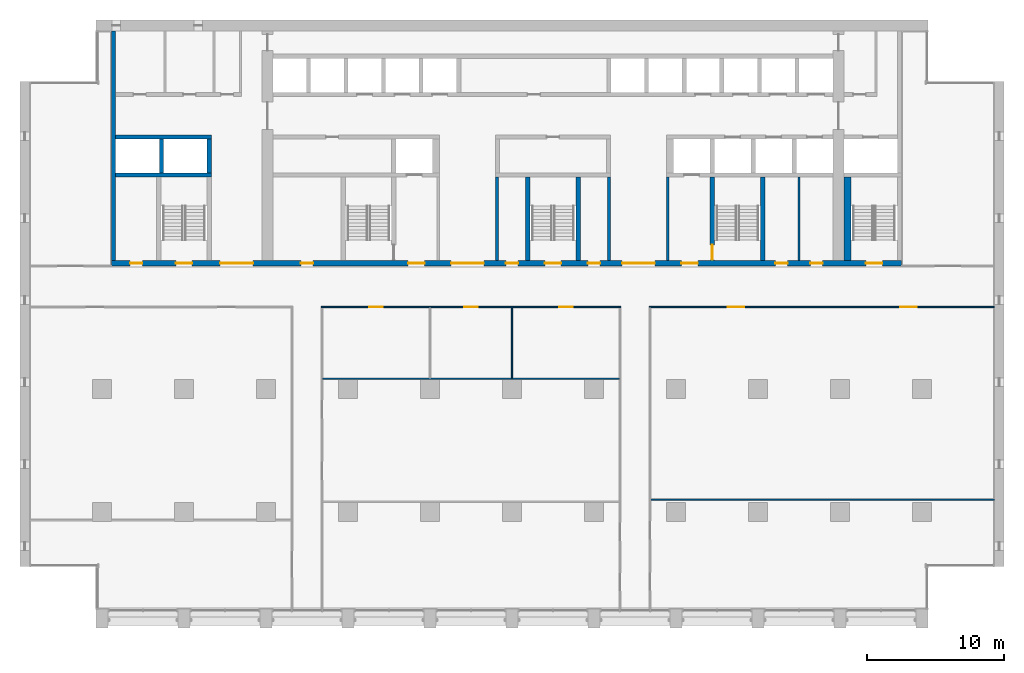
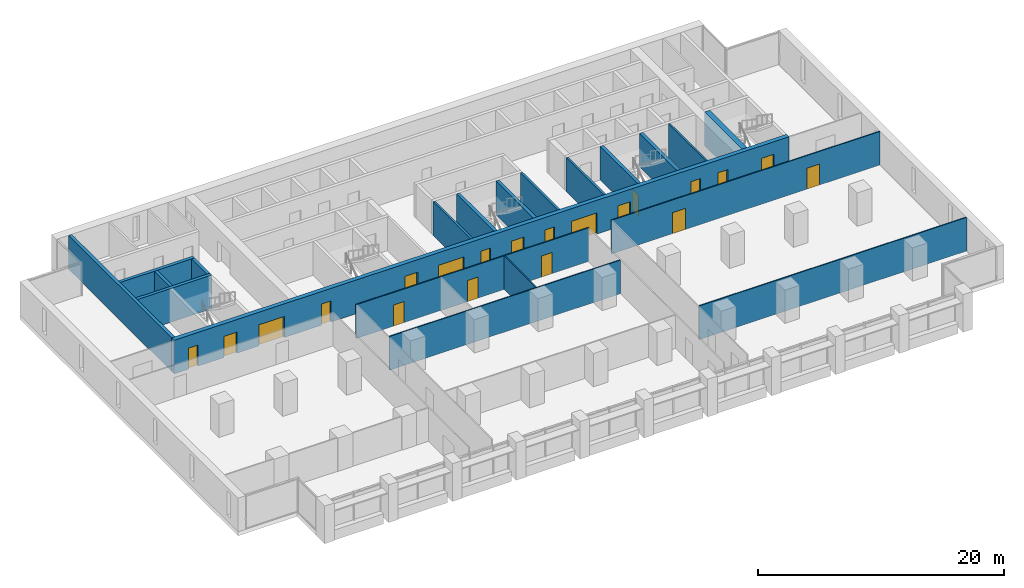
# One storey, part 9 of 15: 20 doors, 20 walls, 20 openings.
"""IFC4 building model written with IfcOpenShell, lengths in metres."""

from ifc_helpers import new_model, si_unit, direction, frame, frame_2d, origin, place, context, subcontext, project, spatial, rectangle, extrude, material, layer, layer_set, type_object, element, fill, save


model = new_model("IFC4")

# Units and contexts
model_context = context("Model", 3, precision=1e-05, world=origin(), true_north=direction((0.0, 1.0)))
body_context = subcontext(model_context, "Body", "Model", "MODEL_VIEW")
ifc_project = project(units=[si_unit("LENGTHUNIT", "METRE"), si_unit("AREAUNIT", "SQUARE_METRE"), si_unit("VOLUMEUNIT", "CUBIC_METRE"), si_unit("PLANEANGLEUNIT", "RADIAN"), si_unit("MASSUNIT", "GRAM", prefix="KILO")], contexts=[model_context])

# Site, building, storey
site_placement = place(None, origin())
site = spatial("IfcSite", under=ifc_project, at=site_placement, CompositionType="ELEMENT")
building_placement = place(site_placement, origin())
building = spatial("IfcBuilding", under=site, at=building_placement, Name="Calvaro Tower", CompositionType="ELEMENT")
storey_placement = place(building_placement, frame((0.0, 0.0, 106.25)))
storey = spatial("IfcBuildingStorey", under=building, at=storey_placement, Name="L26", CompositionType="ELEMENT", Elevation=106.25)

# Walls
ifc_material_1 = material(Name="Blockwork partition", Category="masonry")
ifc_layer_1 = layer(ifc_material_1, 0.14990234375)
ifc_layer_set_1 = layer_set([ifc_layer_1], Name="Blockwork partition")
wall_type_1 = type_object("IfcWallType", Name="Core partition 150 EI 60", PredefinedType="PARTITIONING", material=ifc_layer_set_1)
wall_1_placement = place(storey_placement, frame((57.0, 28.39990234375, 0.0), z_axis=(0.0, 0.0, 1.0), x_axis=(0.0, 1.0, 0.0)))
element("IfcWall", 1, at=wall_1_placement, inside=storey, type_object=wall_type_1, Name="Core partition", PredefinedType="PARTITIONING", context=body_context, shape_type="SweptSolid", body=[
    extrude(rectangle(XDim=6.10009765625, YDim=0.14990234375, at=frame_2d((3.050048828125, 0.0))), origin(), (0.0, 0.0, 1.0), 3.35009765625),
])
ifc_material_2 = material(Name="Blockwork partition", Category="masonry")
ifc_layer_2 = layer(ifc_material_2, 0.199951171875)
ifc_layer_set_2 = layer_set([ifc_layer_2], Name="Blockwork partition")
wall_type_2 = type_object("IfcWallType", Name="Core partition 200 REI 120", PredefinedType="PARTITIONING", material=ifc_layer_set_2)
for number, where, z_axis, x_axis, name in (
    (2, (34.89990234375, 28.39990234375, 0.0), (0.0, 0.0, 1.0), (0.0, 1.0, 0.0), "Core partition"),
    (3, (43.10009765625, 28.39990234375, 0.0), (0.0, 0.0, 1.0), (0.0, 1.0, 0.0), "Core partition"),
    (4, (47.39990234375, 28.39990234375, 0.0), (0.0, 0.0, 1.0), (0.0, 1.0, 0.0), "Core partition"),
):
    element("IfcWall", number, at=place(storey_placement, frame(where, z_axis=z_axis, x_axis=x_axis)), inside=storey, type_object=wall_type_2, Name=name, PredefinedType="PARTITIONING", context=body_context, shape_type="SweptSolid", body=[
        extrude(rectangle(XDim=6.10009765625, YDim=0.199951171875, at=frame_2d((3.050048828125, 0.0))), origin(), (0.0, 0.0, 1.0), 3.35009765625),
    ])
ifc_material_3 = material(Name="Concrete C60/75", Category="concrete")
ifc_layer_3 = layer(ifc_material_3, 0.300048828125)
ifc_layer_set_3 = layer_set([ifc_layer_3], Name="Concrete C60/75")
wall_type_3 = type_object("IfcWallType", Name="Core wall C60/75 300", PredefinedType="SHEAR", material=ifc_layer_set_3)
wall_2_placement = place(storey_placement, frame((6.85009765625, 28.39990234375, 0.0), z_axis=(0.0, 0.0, 1.0), x_axis=(0.0, 1.0, 0.0)))
element("IfcWall", 5, at=wall_2_placement, inside=storey, type_object=wall_type_3, Name="Core wall, boundary", PredefinedType="SHEAR", context=body_context, shape_type="SweptSolid", body=[
    extrude(rectangle(XDim=16.800048828125, YDim=0.300048828125, at=frame_2d((8.39990234375, 0.0))), origin(), (0.0, 0.0, 1.0), 3.35009765625),
])
for number, where, z_axis, x_axis, name in (
    (6, (37.14990234375, 28.39990234375, 0.0), (0.0, 0.0, 1.0), (0.0, 1.0, 0.0), "Core wall, stair enclosure"),
    (7, (40.85009765625, 28.39990234375, 0.0), (0.0, 0.0, 1.0), (0.0, 1.0, 0.0), "Core wall, stair enclosure"),
):
    element("IfcWall", number, at=place(storey_placement, frame(where, z_axis=z_axis, x_axis=x_axis)), inside=storey, type_object=wall_type_3, Name=name, PredefinedType="SHEAR", context=body_context, shape_type="SweptSolid", body=[
        extrude(rectangle(XDim=6.10009765625, YDim=0.300048828125, at=frame_2d((3.050048828125, 0.0))), origin(), (0.0, 0.0, 1.0), 3.35009765625),
    ])

# Wall, opening, door
wall_3_placement = place(storey_placement, frame((50.64990234375, 34.5, 0.0), z_axis=(0.0, 0.0, 1.0), x_axis=(0.0, -1.0, 0.0)))
wall_3 = element("IfcWall", 8, at=wall_3_placement, inside=storey, type_object=wall_type_3, Name="Core wall, stair enclosure", PredefinedType="SHEAR", context=body_context, shape_type="SweptSolid", body=[
    extrude(rectangle(XDim=6.10009765625, YDim=0.300048828125, at=frame_2d((3.050048828125, 0.0))), origin(), (0.0, 0.0, 1.0), 3.35009765625),
])
opening_1_placement = place(wall_3_placement, frame((4.949951171875, 0.0, 0.0)))
opening_1 = element("IfcOpeningElement", 9, at=opening_1_placement, cuts=wall_3, Name="Opening FD11D", PredefinedType="OPENING", context=body_context, shape_type="SweptSolid", body=[
    extrude(rectangle(XDim=1.10009765625, YDim=2.10009765625, at=frame_2d((0.550048828125, 1.050048828125))), frame((0.0, 0.159912109375, 0.0), z_axis=(0.0, -1.0, 0.0), x_axis=(1.0, 0.0, 0.0)), (0.0, 0.0, 1.0), 0.320068359375),
])
ifc_material_4 = material(Name="Steel door set", Category="steel")
door_type_1 = type_object("IfcDoorType", Name="Fire door 1100 FD30S", OperationType="SINGLE_SWING_LEFT", PredefinedType="DOOR", material=ifc_material_4)
door_1_placement = place(opening_1_placement, origin())
door_1 = element("IfcDoor", 10, at=door_1_placement, inside=storey, type_object=door_type_1, Name="Fire door", OperationType="SINGLE_SWING_RIGHT", OverallHeight=2.10009765625, OverallWidth=1.10009765625, PredefinedType="DOOR", context=body_context, shape_type="SweptSolid", body=[
    extrude(rectangle(XDim=1.10009765625, YDim=2.10009765625, at=frame_2d((0.550048828125, 1.050048828125))), frame((0.0, 0.02490234375, 0.0), z_axis=(0.0, -1.0, 0.0), x_axis=(1.0, 0.0, 0.0)), (0.0, 0.0, 1.0), 0.050048828125),
])
fill(opening_1, door_1)

# Walls
wall_4_placement = place(storey_placement, frame((54.35009765625, 28.39990234375, 0.0), z_axis=(0.0, 0.0, 1.0), x_axis=(0.0, 1.0, 0.0)))
element("IfcWall", 11, at=wall_4_placement, inside=storey, type_object=wall_type_3, Name="Core wall, stair enclosure", PredefinedType="SHEAR", context=body_context, shape_type="SweptSolid", body=[
    extrude(rectangle(XDim=6.10009765625, YDim=0.300048828125, at=frame_2d((3.050048828125, 0.0))), origin(), (0.0, 0.0, 1.0), 3.35009765625),
])
for number, where, z_axis, x_axis, name in (
    (12, (7.0, 34.64990234375, 0.0), (0.0, 0.0, 1.0), (1.0, 0.0, 0.0), "Core wall, lift shaft"),
    (13, (7.0, 37.449951171875, 0.0), (0.0, 0.0, 1.0), (1.0, 0.0, 0.0), "Core wall, lift shaft"),
):
    element("IfcWall", number, at=place(storey_placement, frame(where, z_axis=z_axis, x_axis=x_axis)), inside=storey, type_object=wall_type_3, Name=name, PredefinedType="SHEAR", context=body_context, shape_type="SweptSolid", body=[
        extrude(rectangle(XDim=7.0, YDim=0.300048828125, at=frame_2d((3.5, 0.0))), origin(), (0.0, 0.0, 1.0), 3.35009765625),
    ])
for number, where, z_axis, x_axis, name in (
    (14, (13.85009765625, 34.800048828125, 0.0), (0.0, 0.0, 1.0), (0.0, 1.0, 0.0), "Core wall, lift shaft"),
    (15, (10.35009765625, 34.800048828125, 0.0), (0.0, 0.0, 1.0), (0.0, 1.0, 0.0), "Core wall, lift shaft"),
):
    element("IfcWall", number, at=place(storey_placement, frame(where, z_axis=z_axis, x_axis=x_axis)), inside=storey, type_object=wall_type_3, Name=name, PredefinedType="SHEAR", context=body_context, shape_type="SweptSolid", body=[
        extrude(rectangle(XDim=2.5, YDim=0.300048828125, at=frame_2d((1.25, 0.0))), origin(), (0.0, 0.0, 1.0), 3.35009765625),
    ])

# Wall, openings, doors
ifc_material_5 = material(Name="Concrete C60/75", Category="concrete")
ifc_layer_4 = layer(ifc_material_5, 0.39990234375)
ifc_layer_set_4 = layer_set([ifc_layer_4], Name="Concrete C60/75")
wall_type_4 = type_object("IfcWallType", Name="Core wall C60/75 400", PredefinedType="SHEAR", material=ifc_layer_set_4)
wall_5_placement = place(storey_placement, frame((6.699951171875, 28.199951171875, 0.0), z_axis=(0.0, 0.0, 1.0), x_axis=(1.0, 0.0, 0.0)))
wall_5 = element("IfcWall", 16, at=wall_5_placement, inside=storey, type_object=wall_type_4, Name="Core wall, front", PredefinedType="SHEAR", context=body_context, shape_type="SweptSolid", body=[
    extrude(rectangle(XDim=57.800048828125, YDim=0.39990234375, at=frame_2d((28.89990234375, 0.0))), origin(), (0.0, 0.0, 1.0), 3.35009765625),
])
opening_2_placement = place(wall_5_placement, frame((13.85009765625, 0.0, 0.0)))
opening_2 = element("IfcOpeningElement", 17, at=opening_2_placement, cuts=wall_5, Name="Opening RD9E", PredefinedType="OPENING", context=body_context, shape_type="SweptSolid", body=[
    extrude(rectangle(XDim=0.89990234375, YDim=2.10009765625, at=frame_2d((0.449951171875, 1.050048828125))), frame((0.0, 0.2099609375, 0.0), z_axis=(0.0, -1.0, 0.0), x_axis=(1.0, 0.0, 0.0)), (0.0, 0.0, 1.0), 0.419921875),
])
opening_3_placement = place(wall_5_placement, frame((48.5625, 0.0, 0.0)))
opening_3 = element("IfcOpeningElement", 18, at=opening_3_placement, cuts=wall_5, Name="Opening RD9C", PredefinedType="OPENING", context=body_context, shape_type="SweptSolid", body=[
    extrude(rectangle(XDim=0.89990234375, YDim=2.10009765625, at=frame_2d((0.449951171875, 1.050048828125))), frame((0.0, 0.2099609375, 0.0), z_axis=(0.0, -1.0, 0.0), x_axis=(1.0, 0.0, 0.0)), (0.0, 0.0, 1.0), 0.419921875),
])
opening_4_placement = place(wall_5_placement, frame((51.137451171875, 0.0, 0.0)))
opening_4 = element("IfcOpeningElement", 19, at=opening_4_placement, cuts=wall_5, Name="Opening RD9C", PredefinedType="OPENING", context=body_context, shape_type="SweptSolid", body=[
    extrude(rectangle(XDim=0.89990234375, YDim=2.10009765625, at=frame_2d((0.449951171875, 1.050048828125))), frame((0.0, 0.2099609375, 0.0), z_axis=(0.0, -1.0, 0.0), x_axis=(1.0, 0.0, 0.0)), (0.0, 0.0, 1.0), 0.419921875),
])
opening_5_placement = place(wall_5_placement, frame((1.35009765625, 0.0, 0.0)))
opening_5 = element("IfcOpeningElement", 20, at=opening_5_placement, cuts=wall_5, Name="Opening RD9C", PredefinedType="OPENING", context=body_context, shape_type="SweptSolid", body=[
    extrude(rectangle(XDim=0.89990234375, YDim=2.10009765625, at=frame_2d((0.449951171875, 1.050048828125))), frame((0.0, 0.2099609375, 0.0), z_axis=(0.0, -1.0, 0.0), x_axis=(1.0, 0.0, 0.0)), (0.0, 0.0, 1.0), 0.419921875),
])
opening_6_placement = place(wall_5_placement, frame((4.699951171875, 0.0, 0.0)))
opening_6 = element("IfcOpeningElement", 21, at=opening_6_placement, cuts=wall_5, Name="Opening SD12D", PredefinedType="OPENING", context=body_context, shape_type="SweptSolid", body=[
    extrude(rectangle(XDim=1.199951171875, YDim=2.10009765625, at=frame_2d((0.60009765625, 1.050048828125))), frame((0.0, 0.2099609375, 0.0), z_axis=(0.0, -1.0, 0.0), x_axis=(1.0, 0.0, 0.0)), (0.0, 0.0, 1.0), 0.419921875),
])
opening_7_placement = place(wall_5_placement, frame((31.699951171875, 0.0, 0.0)))
opening_7 = element("IfcOpeningElement", 22, at=opening_7_placement, cuts=wall_5, Name="Opening SD12D", PredefinedType="OPENING", context=body_context, shape_type="SweptSolid", body=[
    extrude(rectangle(XDim=1.199951171875, YDim=2.10009765625, at=frame_2d((0.60009765625, 1.050048828125))), frame((0.0, 0.2099609375, 0.0), z_axis=(0.0, -1.0, 0.0), x_axis=(1.0, 0.0, 0.0)), (0.0, 0.0, 1.0), 0.419921875),
])
opening_8_placement = place(wall_5_placement, frame((55.199951171875, 0.0, 0.0)))
opening_8 = element("IfcOpeningElement", 23, at=opening_8_placement, cuts=wall_5, Name="Opening SD12D", PredefinedType="OPENING", context=body_context, shape_type="SweptSolid", body=[
    extrude(rectangle(XDim=1.199951171875, YDim=2.10009765625, at=frame_2d((0.60009765625, 1.050048828125))), frame((0.0, 0.2099609375, 0.0), z_axis=(0.0, -1.0, 0.0), x_axis=(1.0, 0.0, 0.0)), (0.0, 0.0, 1.0), 0.419921875),
])
opening_9_placement = place(wall_5_placement, frame((21.699951171875, 0.0, 0.0)))
opening_9 = element("IfcOpeningElement", 24, at=opening_9_placement, cuts=wall_5, Name="Opening FD12F", PredefinedType="OPENING", context=body_context, shape_type="SweptSolid", body=[
    extrude(rectangle(XDim=1.199951171875, YDim=2.10009765625, at=frame_2d((0.60009765625, 1.050048828125))), frame((0.0, 0.2099609375, 0.0), z_axis=(0.0, -1.0, 0.0), x_axis=(1.0, 0.0, 0.0)), (0.0, 0.0, 1.0), 0.419921875),
])
opening_10_placement = place(wall_5_placement, frame((41.699951171875, 0.0, 0.0)))
opening_10 = element("IfcOpeningElement", 25, at=opening_10_placement, cuts=wall_5, Name="Opening FD12F", PredefinedType="OPENING", context=body_context, shape_type="SweptSolid", body=[
    extrude(rectangle(XDim=1.199951171875, YDim=2.10009765625, at=frame_2d((0.60009765625, 1.050048828125))), frame((0.0, 0.2099609375, 0.0), z_axis=(0.0, -1.0, 0.0), x_axis=(1.0, 0.0, 0.0)), (0.0, 0.0, 1.0), 0.419921875),
])
opening_11_placement = place(wall_5_placement, frame((24.85009765625, 0.0, 0.0)))
opening_11 = element("IfcOpeningElement", 26, at=opening_11_placement, cuts=wall_5, Name="Opening DD24D", PredefinedType="OPENING", context=body_context, shape_type="SweptSolid", body=[
    extrude(rectangle(XDim=2.39990234375, YDim=2.10009765625, at=frame_2d((1.199951171875, 1.050048828125))), frame((0.0, 0.2099609375, 0.0), z_axis=(0.0, -1.0, 0.0), x_axis=(1.0, 0.0, 0.0)), (0.0, 0.0, 1.0), 0.419921875),
])
opening_12_placement = place(wall_5_placement, frame((37.35009765625, 0.0, 0.0)))
opening_12 = element("IfcOpeningElement", 27, at=opening_12_placement, cuts=wall_5, Name="Opening DD24D", PredefinedType="OPENING", context=body_context, shape_type="SweptSolid", body=[
    extrude(rectangle(XDim=2.39990234375, YDim=2.10009765625, at=frame_2d((1.199951171875, 1.050048828125))), frame((0.0, 0.2099609375, 0.0), z_axis=(0.0, -1.0, 0.0), x_axis=(1.0, 0.0, 0.0)), (0.0, 0.0, 1.0), 0.419921875),
])
opening_13_placement = place(wall_5_placement, frame((7.949951171875, 0.0, 0.0)))
opening_13 = element("IfcOpeningElement", 28, at=opening_13_placement, cuts=wall_5, Name="Opening DD24D", PredefinedType="OPENING", context=body_context, shape_type="SweptSolid", body=[
    extrude(rectangle(XDim=2.39990234375, YDim=2.10009765625, at=frame_2d((1.199951171875, 1.050048828125))), frame((0.0, 0.2099609375, 0.0), z_axis=(0.0, -1.0, 0.0), x_axis=(1.0, 0.0, 0.0)), (0.0, 0.0, 1.0), 0.419921875),
])
opening_14_placement = place(wall_5_placement, frame((28.85009765625, 0.0, 0.0)))
opening_14 = element("IfcOpeningElement", 29, at=opening_14_placement, cuts=wall_5, Name="Opening RD9E", PredefinedType="OPENING", context=body_context, shape_type="SweptSolid", body=[
    extrude(rectangle(XDim=0.89990234375, YDim=2.10009765625, at=frame_2d((0.449951171875, 1.050048828125))), frame((0.0, 0.2099609375, 0.0), z_axis=(0.0, -1.0, 0.0), x_axis=(1.0, 0.0, 0.0)), (0.0, 0.0, 1.0), 0.419921875),
])
opening_15_placement = place(wall_5_placement, frame((34.85009765625, 0.0, 0.0)))
opening_15 = element("IfcOpeningElement", 30, at=opening_15_placement, cuts=wall_5, Name="Opening RD9E", PredefinedType="OPENING", context=body_context, shape_type="SweptSolid", body=[
    extrude(rectangle(XDim=0.89990234375, YDim=2.10009765625, at=frame_2d((0.449951171875, 1.050048828125))), frame((0.0, 0.2099609375, 0.0), z_axis=(0.0, -1.0, 0.0), x_axis=(1.0, 0.0, 0.0)), (0.0, 0.0, 1.0), 0.419921875),
])
ifc_material_6 = material(Name="Steel door set", Category="steel")
door_type_2 = type_object("IfcDoorType", Name="Fire door 1200 FD60S", OperationType="SINGLE_SWING_LEFT", PredefinedType="DOOR", material=ifc_material_6)
door_2_placement = place(opening_9_placement, origin())
door_2 = element("IfcDoor", 31, at=door_2_placement, inside=storey, type_object=door_type_2, Name="Fire door", OperationType="SINGLE_SWING_LEFT", OverallHeight=2.10009765625, OverallWidth=1.199951171875, PredefinedType="DOOR", context=body_context, shape_type="SweptSolid", body=[
    extrude(rectangle(XDim=1.199951171875, YDim=2.10009765625, at=frame_2d((0.60009765625, 1.050048828125))), frame((0.0, 0.02490234375, 0.0), z_axis=(0.0, -1.0, 0.0), x_axis=(1.0, 0.0, 0.0)), (0.0, 0.0, 1.0), 0.050048828125),
])
fill(opening_9, door_2)
door_3_placement = place(opening_10_placement, origin())
door_3 = element("IfcDoor", 32, at=door_3_placement, inside=storey, type_object=door_type_2, Name="Fire door", OperationType="SINGLE_SWING_LEFT", OverallHeight=2.10009765625, OverallWidth=1.199951171875, PredefinedType="DOOR", context=body_context, shape_type="SweptSolid", body=[
    extrude(rectangle(XDim=1.199951171875, YDim=2.10009765625, at=frame_2d((0.60009765625, 1.050048828125))), frame((0.0, 0.02490234375, 0.0), z_axis=(0.0, -1.0, 0.0), x_axis=(1.0, 0.0, 0.0)), (0.0, 0.0, 1.0), 0.050048828125),
])
fill(opening_10, door_3)
ifc_material_7 = material(Name="Steel door set", Category="steel")
door_type_3 = type_object("IfcDoorType", Name="Lobby double door 2400 FD30S", OperationType="DOUBLE_DOOR_SINGLE_SWING", PredefinedType="DOOR", material=ifc_material_7)
door_4_placement = place(opening_11_placement, origin())
door_4 = element("IfcDoor", 33, at=door_4_placement, inside=storey, type_object=door_type_3, Name="Lobby double door", OperationType="DOUBLE_DOOR_SINGLE_SWING", OverallHeight=2.10009765625, OverallWidth=2.39990234375, PredefinedType="DOOR", context=body_context, shape_type="SweptSolid", body=[
    extrude(rectangle(XDim=2.39990234375, YDim=2.10009765625, at=frame_2d((1.199951171875, 1.050048828125))), frame((0.0, 0.02490234375, 0.0), z_axis=(0.0, -1.0, 0.0), x_axis=(1.0, 0.0, 0.0)), (0.0, 0.0, 1.0), 0.050048828125),
])
fill(opening_11, door_4)
door_5_placement = place(opening_12_placement, origin())
door_5 = element("IfcDoor", 34, at=door_5_placement, inside=storey, type_object=door_type_3, Name="Lobby double door", OperationType="DOUBLE_DOOR_SINGLE_SWING", OverallHeight=2.10009765625, OverallWidth=2.39990234375, PredefinedType="DOOR", context=body_context, shape_type="SweptSolid", body=[
    extrude(rectangle(XDim=2.39990234375, YDim=2.10009765625, at=frame_2d((1.199951171875, 1.050048828125))), frame((0.0, 0.02490234375, 0.0), z_axis=(0.0, -1.0, 0.0), x_axis=(1.0, 0.0, 0.0)), (0.0, 0.0, 1.0), 0.050048828125),
])
fill(opening_12, door_5)
door_6_placement = place(opening_13_placement, origin())
door_6 = element("IfcDoor", 35, at=door_6_placement, inside=storey, type_object=door_type_3, Name="Lobby double door", OperationType="DOUBLE_DOOR_SINGLE_SWING", OverallHeight=2.10009765625, OverallWidth=2.39990234375, PredefinedType="DOOR", context=body_context, shape_type="SweptSolid", body=[
    extrude(rectangle(XDim=2.39990234375, YDim=2.10009765625, at=frame_2d((1.199951171875, 1.050048828125))), frame((0.0, 0.02490234375, 0.0), z_axis=(0.0, -1.0, 0.0), x_axis=(1.0, 0.0, 0.0)), (0.0, 0.0, 1.0), 0.050048828125),
])
fill(opening_13, door_6)
ifc_material_8 = material(Name="Steel door set", Category="steel")
door_type_4 = type_object("IfcDoorType", Name="Room door 900 FD30", OperationType="SINGLE_SWING_LEFT", PredefinedType="DOOR", material=ifc_material_8)
door_7_placement = place(opening_3_placement, origin())
door_7 = element("IfcDoor", 36, at=door_7_placement, inside=storey, type_object=door_type_4, Name="Room door", OperationType="SINGLE_SWING_LEFT", OverallHeight=2.10009765625, OverallWidth=0.89990234375, PredefinedType="DOOR", context=body_context, shape_type="SweptSolid", body=[
    extrude(rectangle(XDim=0.89990234375, YDim=2.10009765625, at=frame_2d((0.449951171875, 1.050048828125))), frame((0.0, 0.02490234375, 0.0), z_axis=(0.0, -1.0, 0.0), x_axis=(1.0, 0.0, 0.0)), (0.0, 0.0, 1.0), 0.050048828125),
])
fill(opening_3, door_7)
door_8_placement = place(opening_4_placement, origin())
door_8 = element("IfcDoor", 37, at=door_8_placement, inside=storey, type_object=door_type_4, Name="Room door", OperationType="SINGLE_SWING_LEFT", OverallHeight=2.10009765625, OverallWidth=0.89990234375, PredefinedType="DOOR", context=body_context, shape_type="SweptSolid", body=[
    extrude(rectangle(XDim=0.89990234375, YDim=2.10009765625, at=frame_2d((0.449951171875, 1.050048828125))), frame((0.0, 0.02490234375, 0.0), z_axis=(0.0, -1.0, 0.0), x_axis=(1.0, 0.0, 0.0)), (0.0, 0.0, 1.0), 0.050048828125),
])
fill(opening_4, door_8)
door_9_placement = place(opening_5_placement, origin())
door_9 = element("IfcDoor", 38, at=door_9_placement, inside=storey, type_object=door_type_4, Name="Room door", OperationType="SINGLE_SWING_LEFT", OverallHeight=2.10009765625, OverallWidth=0.89990234375, PredefinedType="DOOR", context=body_context, shape_type="SweptSolid", body=[
    extrude(rectangle(XDim=0.89990234375, YDim=2.10009765625, at=frame_2d((0.449951171875, 1.050048828125))), frame((0.0, 0.02490234375, 0.0), z_axis=(0.0, -1.0, 0.0), x_axis=(1.0, 0.0, 0.0)), (0.0, 0.0, 1.0), 0.050048828125),
])
fill(opening_5, door_9)
ifc_material_9 = material(Name="Steel door set", Category="steel")
door_type_5 = type_object("IfcDoorType", Name="Room door 900 FD60", OperationType="SINGLE_SWING_LEFT", PredefinedType="DOOR", material=ifc_material_9)
door_10_placement = place(opening_2_placement, origin())
door_10 = element("IfcDoor", 39, at=door_10_placement, inside=storey, type_object=door_type_5, Name="Room door", OperationType="SINGLE_SWING_LEFT", OverallHeight=2.10009765625, OverallWidth=0.89990234375, PredefinedType="DOOR", context=body_context, shape_type="SweptSolid", body=[
    extrude(rectangle(XDim=0.89990234375, YDim=2.10009765625, at=frame_2d((0.449951171875, 1.050048828125))), frame((0.0, 0.02490234375, 0.0), z_axis=(0.0, -1.0, 0.0), x_axis=(1.0, 0.0, 0.0)), (0.0, 0.0, 1.0), 0.050048828125),
])
fill(opening_2, door_10)
door_11_placement = place(opening_14_placement, origin())
door_11 = element("IfcDoor", 40, at=door_11_placement, inside=storey, type_object=door_type_5, Name="Room door", OperationType="SINGLE_SWING_LEFT", OverallHeight=2.10009765625, OverallWidth=0.89990234375, PredefinedType="DOOR", context=body_context, shape_type="SweptSolid", body=[
    extrude(rectangle(XDim=0.89990234375, YDim=2.10009765625, at=frame_2d((0.449951171875, 1.050048828125))), frame((0.0, 0.02490234375, 0.0), z_axis=(0.0, -1.0, 0.0), x_axis=(1.0, 0.0, 0.0)), (0.0, 0.0, 1.0), 0.050048828125),
])
fill(opening_14, door_11)
door_12_placement = place(opening_15_placement, origin())
door_12 = element("IfcDoor", 41, at=door_12_placement, inside=storey, type_object=door_type_5, Name="Room door", OperationType="SINGLE_SWING_LEFT", OverallHeight=2.10009765625, OverallWidth=0.89990234375, PredefinedType="DOOR", context=body_context, shape_type="SweptSolid", body=[
    extrude(rectangle(XDim=0.89990234375, YDim=2.10009765625, at=frame_2d((0.449951171875, 1.050048828125))), frame((0.0, 0.02490234375, 0.0), z_axis=(0.0, -1.0, 0.0), x_axis=(1.0, 0.0, 0.0)), (0.0, 0.0, 1.0), 0.050048828125),
])
fill(opening_15, door_12)
ifc_material_10 = material(Name="Steel door set", Category="steel")
door_type_6 = type_object("IfcDoorType", Name="Stair door 1200 FD30S", OperationType="SINGLE_SWING_LEFT", PredefinedType="DOOR", material=ifc_material_10)
door_13_placement = place(opening_6_placement, origin())
door_13 = element("IfcDoor", 42, at=door_13_placement, inside=storey, type_object=door_type_6, Name="Stair door", OperationType="SINGLE_SWING_LEFT", OverallHeight=2.10009765625, OverallWidth=1.199951171875, PredefinedType="DOOR", context=body_context, shape_type="SweptSolid", body=[
    extrude(rectangle(XDim=1.199951171875, YDim=2.10009765625, at=frame_2d((0.60009765625, 1.050048828125))), frame((0.0, 0.02490234375, 0.0), z_axis=(0.0, -1.0, 0.0), x_axis=(1.0, 0.0, 0.0)), (0.0, 0.0, 1.0), 0.050048828125),
])
fill(opening_6, door_13)
door_14_placement = place(opening_7_placement, origin())
door_14 = element("IfcDoor", 43, at=door_14_placement, inside=storey, type_object=door_type_6, Name="Stair door", OperationType="SINGLE_SWING_LEFT", OverallHeight=2.10009765625, OverallWidth=1.199951171875, PredefinedType="DOOR", context=body_context, shape_type="SweptSolid", body=[
    extrude(rectangle(XDim=1.199951171875, YDim=2.10009765625, at=frame_2d((0.60009765625, 1.050048828125))), frame((0.0, 0.02490234375, 0.0), z_axis=(0.0, -1.0, 0.0), x_axis=(1.0, 0.0, 0.0)), (0.0, 0.0, 1.0), 0.050048828125),
])
fill(opening_7, door_14)
door_15_placement = place(opening_8_placement, origin())
door_15 = element("IfcDoor", 44, at=door_15_placement, inside=storey, type_object=door_type_6, Name="Stair door", OperationType="SINGLE_SWING_LEFT", OverallHeight=2.10009765625, OverallWidth=1.199951171875, PredefinedType="DOOR", context=body_context, shape_type="SweptSolid", body=[
    extrude(rectangle(XDim=1.199951171875, YDim=2.10009765625, at=frame_2d((0.60009765625, 1.050048828125))), frame((0.0, 0.02490234375, 0.0), z_axis=(0.0, -1.0, 0.0), x_axis=(1.0, 0.0, 0.0)), (0.0, 0.0, 1.0), 0.050048828125),
])
fill(opening_8, door_15)

# Walls
ifc_material_11 = material(Name="Concrete C60/75", Category="concrete")
ifc_layer_5 = layer(ifc_material_11, 0.5)
ifc_layer_set_5 = layer_set([ifc_layer_5], Name="Concrete C60/75")
wall_type_5 = type_object("IfcWallType", Name="Core wall C60/75 500", PredefinedType="SHEAR", material=ifc_layer_set_5)
wall_6_placement = place(storey_placement, frame((60.550048828125, 28.39990234375, 0.0), z_axis=(0.0, 0.0, 1.0), x_axis=(0.0, 1.0, 0.0)))
element("IfcWall", 45, at=wall_6_placement, inside=storey, type_object=wall_type_5, Name="Core wall, stair enclosure", PredefinedType="SHEAR", context=body_context, shape_type="SweptSolid", body=[
    extrude(rectangle(XDim=6.10009765625, YDim=0.5, at=frame_2d((3.050048828125, 0.0))), origin(), (0.0, 0.0, 1.0), 3.35009765625),
])
ifc_material_12 = material(Name="Plasterboard on steel studs", Category="steel")
ifc_layer_6 = layer(ifc_material_12, 0.10009765625)
ifc_layer_set_6 = layer_set([ifc_layer_6], Name="Plasterboard on steel studs")
wall_type_6 = type_object("IfcWallType", Name="Partition 100", PredefinedType="PARTITIONING", material=ifc_layer_set_6)
wall_7_placement = place(storey_placement, frame((46.14990234375, 10.89990234375, 0.0), z_axis=(0.0, 0.0, 1.0), x_axis=(1.0, 0.0, 0.0)))
element("IfcWall", 46, at=wall_7_placement, inside=storey, type_object=wall_type_6, Name="Partition T17.W006", PredefinedType="PARTITIONING", context=body_context, shape_type="SweptSolid", body=[
    extrude(rectangle(XDim=25.150146484375, YDim=0.10009765625, at=frame_2d((12.5751953125, 0.0))), origin(), (0.0, 0.0, 1.0), 3.35009765625),
])
wall_8_placement = place(storey_placement, frame((22.14990234375, 19.75, 0.0), z_axis=(0.0, 0.0, 1.0), x_axis=(1.0, 0.0, 0.0)))
element("IfcWall", 47, at=wall_8_placement, inside=storey, type_object=wall_type_6, Name="Partition T17.W007", PredefinedType="PARTITIONING", context=body_context, shape_type="SweptSolid", body=[
    extrude(rectangle(XDim=21.7001953125, YDim=0.10009765625, at=frame_2d((10.85009765625, 0.0))), origin(), (0.0, 0.0, 1.0), 3.35009765625),
])

# Wall, openings, doors
wall_9_placement = place(storey_placement, frame((22.050048828125, 25.0, 0.0), z_axis=(0.0, 0.0, 1.0), x_axis=(1.0, 0.0, 0.0)))
wall_9 = element("IfcWall", 48, at=wall_9_placement, inside=storey, type_object=wall_type_6, Name="Partition T17.W009", PredefinedType="PARTITIONING", context=body_context, shape_type="SweptSolid", body=[
    extrude(rectangle(XDim=21.89990234375, YDim=0.10009765625, at=frame_2d((10.949951171875, 0.0))), origin(), (0.0, 0.0, 1.0), 3.35009765625),
])
opening_16_placement = place(wall_9_placement, frame((3.5, 0.0, 0.0)))
opening_16 = element("IfcOpeningElement", 49, at=opening_16_placement, cuts=wall_9, Name="Opening T17.012", PredefinedType="OPENING", context=body_context, shape_type="SweptSolid", body=[
    extrude(rectangle(XDim=1.0, YDim=2.10009765625, at=frame_2d((0.5, 1.050048828125))), frame((0.0, 0.06005859375, 0.0), z_axis=(0.0, -1.0, 0.0), x_axis=(1.0, 0.0, 0.0)), (0.0, 0.0, 1.0), 0.1201171875),
])
opening_17_placement = place(wall_9_placement, frame((10.449951171875, 0.0, 0.0)))
opening_17 = element("IfcOpeningElement", 50, at=opening_17_placement, cuts=wall_9, Name="Opening T17.013", PredefinedType="OPENING", context=body_context, shape_type="SweptSolid", body=[
    extrude(rectangle(XDim=1.0, YDim=2.10009765625, at=frame_2d((0.5, 1.050048828125))), frame((0.0, 0.06005859375, 0.0), z_axis=(0.0, -1.0, 0.0), x_axis=(1.0, 0.0, 0.0)), (0.0, 0.0, 1.0), 0.1201171875),
])
opening_18_placement = place(wall_9_placement, frame((17.39990234375, 0.0, 0.0)))
opening_18 = element("IfcOpeningElement", 51, at=opening_18_placement, cuts=wall_9, Name="Opening T17.014", PredefinedType="OPENING", context=body_context, shape_type="SweptSolid", body=[
    extrude(rectangle(XDim=1.0, YDim=2.10009765625, at=frame_2d((0.5, 1.050048828125))), frame((0.0, 0.06005859375, 0.0), z_axis=(0.0, -1.0, 0.0), x_axis=(1.0, 0.0, 0.0)), (0.0, 0.0, 1.0), 0.1201171875),
])
ifc_material_13 = material(Name="Timber", Category="wood")
door_type_7 = type_object("IfcDoorType", Name="Internal single door 1000 x 2100", OperationType="SINGLE_SWING_LEFT", PredefinedType="DOOR", material=ifc_material_13)
door_16_placement = place(opening_16_placement, origin())
door_16 = element("IfcDoor", 52, at=door_16_placement, inside=storey, type_object=door_type_7, Name="Door T17.012", OperationType="SINGLE_SWING_LEFT", OverallHeight=2.10009765625, OverallWidth=1.0, PredefinedType="DOOR", context=body_context, shape_type="SweptSolid", body=[
    extrude(rectangle(XDim=1.0, YDim=2.10009765625, at=frame_2d((0.5, 1.050048828125))), frame((0.0, 0.02490234375, 0.0), z_axis=(0.0, -1.0, 0.0), x_axis=(1.0, 0.0, 0.0)), (0.0, 0.0, 1.0), 0.050048828125),
])
fill(opening_16, door_16)
door_17_placement = place(opening_17_placement, origin())
door_17 = element("IfcDoor", 53, at=door_17_placement, inside=storey, type_object=door_type_7, Name="Door T17.013", OperationType="SINGLE_SWING_LEFT", OverallHeight=2.10009765625, OverallWidth=1.0, PredefinedType="DOOR", context=body_context, shape_type="SweptSolid", body=[
    extrude(rectangle(XDim=1.0, YDim=2.10009765625, at=frame_2d((0.5, 1.050048828125))), frame((0.0, 0.02490234375, 0.0), z_axis=(0.0, -1.0, 0.0), x_axis=(1.0, 0.0, 0.0)), (0.0, 0.0, 1.0), 0.050048828125),
])
fill(opening_17, door_17)
door_18_placement = place(opening_18_placement, origin())
door_18 = element("IfcDoor", 54, at=door_18_placement, inside=storey, type_object=door_type_7, Name="Door T17.014", OperationType="SINGLE_SWING_RIGHT", OverallHeight=2.10009765625, OverallWidth=1.0, PredefinedType="DOOR", context=body_context, shape_type="SweptSolid", body=[
    extrude(rectangle(XDim=1.0, YDim=2.10009765625, at=frame_2d((0.5, 1.050048828125))), frame((0.0, 0.02490234375, 0.0), z_axis=(0.0, -1.0, 0.0), x_axis=(1.0, 0.0, 0.0)), (0.0, 0.0, 1.0), 0.050048828125),
])
fill(opening_18, door_18)

wall_10_placement = place(storey_placement, frame((46.050048828125, 25.0, 0.0), z_axis=(0.0, 0.0, 1.0), x_axis=(1.0, 0.0, 0.0)))
wall_10 = element("IfcWall", 55, at=wall_10_placement, inside=storey, type_object=wall_type_6, Name="Partition T17.W010", PredefinedType="PARTITIONING", context=body_context, shape_type="SweptSolid", body=[
    extrude(rectangle(XDim=25.25, YDim=0.10009765625, at=frame_2d((12.625, 0.0))), origin(), (0.0, 0.0, 1.0), 3.35009765625),
])
opening_19_placement = place(wall_10_placement, frame((5.75, 0.0, 0.0)))
opening_19 = element("IfcOpeningElement", 56, at=opening_19_placement, cuts=wall_10, Name="Opening T17.010", PredefinedType="OPENING", context=body_context, shape_type="SweptSolid", body=[
    extrude(rectangle(XDim=1.199951171875, YDim=2.10009765625, at=frame_2d((0.60009765625, 1.050048828125))), frame((0.0, 0.06005859375, 0.0), z_axis=(0.0, -1.0, 0.0), x_axis=(1.0, 0.0, 0.0)), (0.0, 0.0, 1.0), 0.1201171875),
])
opening_20_placement = place(wall_10_placement, frame((18.35009765625, 0.0, 0.0)))
opening_20 = element("IfcOpeningElement", 57, at=opening_20_placement, cuts=wall_10, Name="Opening T17.011", PredefinedType="OPENING", context=body_context, shape_type="SweptSolid", body=[
    extrude(rectangle(XDim=1.199951171875, YDim=2.10009765625, at=frame_2d((0.60009765625, 1.050048828125))), frame((0.0, 0.06005859375, 0.0), z_axis=(0.0, -1.0, 0.0), x_axis=(1.0, 0.0, 0.0)), (0.0, 0.0, 1.0), 0.1201171875),
])
ifc_material_14 = material(Name="Timber", Category="wood")
door_type_8 = type_object("IfcDoorType", Name="Internal single door 1200 x 2100", OperationType="SINGLE_SWING_LEFT", PredefinedType="DOOR", material=ifc_material_14)
door_19_placement = place(opening_19_placement, origin())
door_19 = element("IfcDoor", 58, at=door_19_placement, inside=storey, type_object=door_type_8, Name="Door T17.010", OperationType="SINGLE_SWING_LEFT", OverallHeight=2.10009765625, OverallWidth=1.199951171875, PredefinedType="DOOR", context=body_context, shape_type="SweptSolid", body=[
    extrude(rectangle(XDim=1.199951171875, YDim=2.10009765625, at=frame_2d((0.60009765625, 1.050048828125))), frame((0.0, 0.02490234375, 0.0), z_axis=(0.0, -1.0, 0.0), x_axis=(1.0, 0.0, 0.0)), (0.0, 0.0, 1.0), 0.050048828125),
])
fill(opening_19, door_19)
door_20_placement = place(opening_20_placement, origin())
door_20 = element("IfcDoor", 59, at=door_20_placement, inside=storey, type_object=door_type_8, Name="Door T17.011", OperationType="SINGLE_SWING_RIGHT", OverallHeight=2.10009765625, OverallWidth=1.199951171875, PredefinedType="DOOR", context=body_context, shape_type="SweptSolid", body=[
    extrude(rectangle(XDim=1.199951171875, YDim=2.10009765625, at=frame_2d((0.60009765625, 1.050048828125))), frame((0.0, 0.02490234375, 0.0), z_axis=(0.0, -1.0, 0.0), x_axis=(1.0, 0.0, 0.0)), (0.0, 0.0, 1.0), 0.050048828125),
])
fill(opening_20, door_20)

# Wall
wall_11_placement = place(storey_placement, frame((36.0, 19.800048828125, 0.0), z_axis=(0.0, 0.0, 1.0), x_axis=(0.0, 1.0, 0.0)))
element("IfcWall", 60, at=wall_11_placement, inside=storey, type_object=wall_type_6, Name="Partition T17.W016", PredefinedType="PARTITIONING", context=body_context, shape_type="SweptSolid", body=[
    extrude(rectangle(XDim=5.14990234375, YDim=0.10009765625, at=frame_2d((2.574951171875, 0.0))), origin(), (0.0, 0.0, 1.0), 3.35009765625),
])

save(model, "model.ifc")
